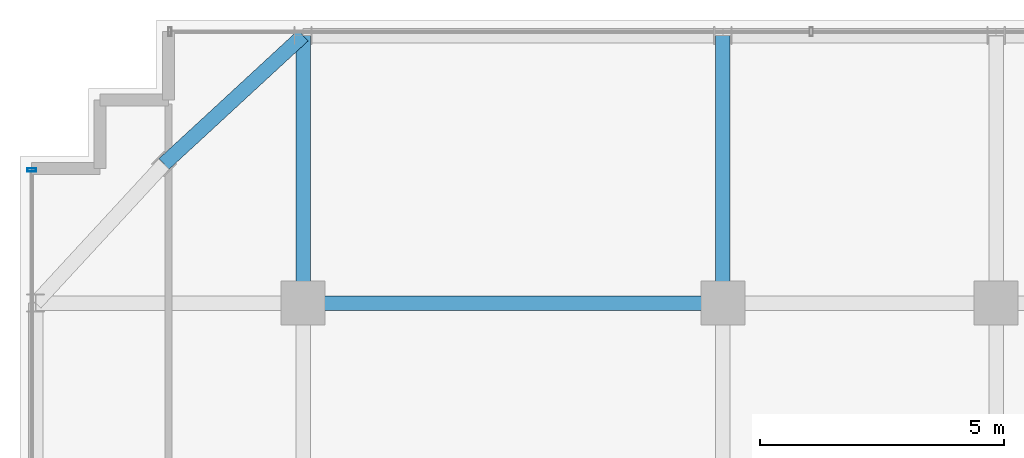
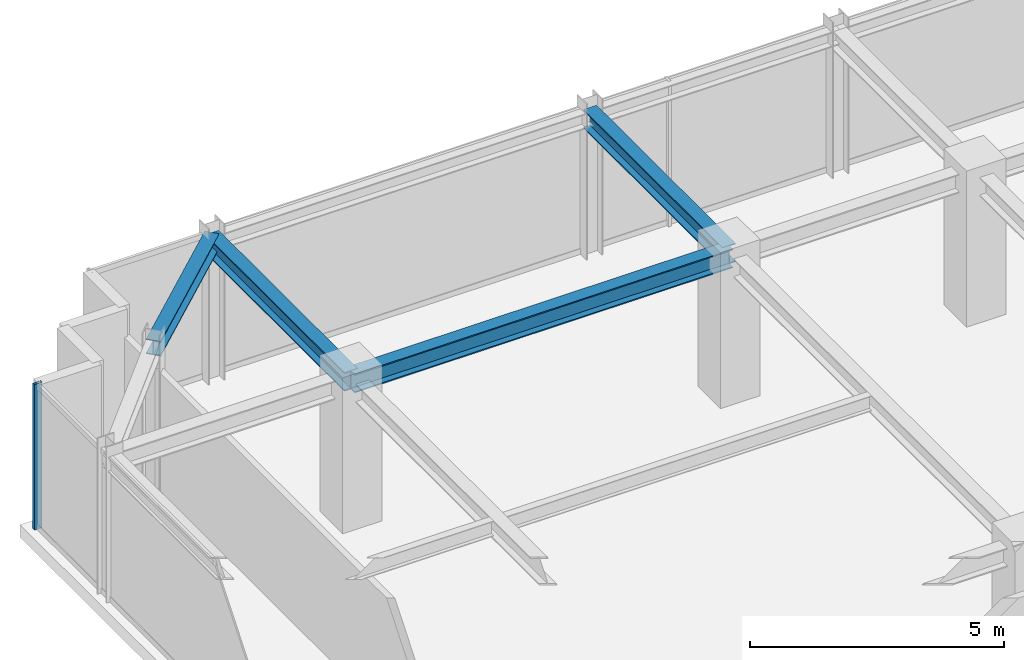
# One storey, part 17 of 33: 4 beams, 1 member, 1 element without a shape of its own.
"""IFC4 building model written with IfcOpenShell, lengths in metres."""

from ifc_helpers import new_model, si_unit, direction, frame, origin, origin_2d, place, context, subcontext, project, spatial, hollow_rectangle, i_section, extrude, source, transform, mapped, material, material_profile, profile_set, type_object, element, aggregate, save


model = new_model("IFC4")

# Units and contexts
model_context = context("Model", 3, precision=1e-05, world=origin(), true_north=direction((0.0, 1.0)))
body_context = subcontext(model_context, "Body", "Model", "MODEL_VIEW")
ifc_project = project(units=[si_unit("LENGTHUNIT", "METRE"), si_unit("AREAUNIT", "SQUARE_METRE"), si_unit("VOLUMEUNIT", "CUBIC_METRE"), si_unit("PLANEANGLEUNIT", "RADIAN"), si_unit("MASSUNIT", "GRAM", prefix="KILO")], contexts=[model_context])

# Site, building, storey
site_placement = place(None, origin())
site = spatial("IfcSite", under=ifc_project, at=site_placement, CompositionType="ELEMENT")
building_placement = place(site_placement, origin())
building = spatial("IfcBuilding", under=site, at=building_placement, Name="Nahalor Promenade Grand Hotel", CompositionType="ELEMENT")
storey_placement = place(building_placement, frame((0.0, 0.0, 315.75)))
storey = spatial("IfcBuildingStorey", under=building, at=storey_placement, Name="L81", CompositionType="ELEMENT", Elevation=315.75)

# Beams
ifc_material_1 = material(Name="Steel S355JR", Category="steel")
ifc_material_profile_1 = material_profile(ifc_material_1, i_section(OverallWidth=0.3, OverallDepth=0.45, WebThickness=0.014, FlangeThickness=0.026, at=origin_2d()), Name="HEB 450")
ifc_profile_set_1 = profile_set([ifc_material_profile_1], Name="Steel S355JR")
beam_type_1 = type_object("IfcBeamType", Name="Beam-Girder-HEB450", PredefinedType="BEAM", material=ifc_profile_set_1)
shared_shape_1 = source(origin(), body_context, "Body", "SweptSolid", [
    extrude(i_section(OverallWidth=0.3, OverallDepth=0.45, WebThickness=0.014, FlangeThickness=0.026, at=origin_2d()), origin(), (0.0, 0.0, 1.0), 8.60009765625),
])
beam_1_placement = place(storey_placement, frame((-17.0, 17.0, 3.27490234375), z_axis=(1.0, 0.0, 0.0), x_axis=(0.0, 1.0, 0.0)))
element("IfcBeam", 1, at=beam_1_placement, inside=storey, type_object=beam_type_1, Name="BM-L81-GX-3-1", PredefinedType="BEAM", context=body_context, shape_type="MappedRepresentation", body=[
    mapped(shared_shape_1, transform((0.0, 0.0, 0.0), scale=1.0)),
])
shared_shape_2 = source(origin(), body_context, "Body", "SweptSolid", [
    extrude(i_section(OverallWidth=0.3, OverallDepth=0.45, WebThickness=0.014, FlangeThickness=0.026, at=origin_2d()), origin(), (0.0, 0.0, 1.0), 5.47998046875),
])
for number, where, z_axis, x_axis, name in (
    (2, (-17.0, 17.0, 3.27490234375), (0.0, 1.0, 0.0), (-1.0, 0.0, 0.0), "BM-L81-GY-0-4"),
    (3, (-8.39990234375, 17.0, 3.27490234375), (0.0, 1.0, 0.0), (-1.0, 0.0, 0.0), "BM-L81-GY-1-4"),
):
    element("IfcBeam", number, at=place(storey_placement, frame(where, z_axis=z_axis, x_axis=x_axis)), inside=storey, type_object=beam_type_1, Name=name, PredefinedType="BEAM", context=body_context, shape_type="MappedRepresentation", body=[
        mapped(shared_shape_2, transform((0.0, 0.0, 0.0), scale=1.0)),
    ])
ifc_material_profile_2 = material_profile(ifc_material_1, i_section(OverallWidth=0.3, OverallDepth=0.36, WebThickness=0.0125, FlangeThickness=0.0225, at=origin_2d()), Name="HEB 360")
ifc_profile_set_2 = profile_set([ifc_material_profile_2], Name="Steel S355JR")
beam_type_2 = type_object("IfcBeamType", Name="Beam-Spandrel-HEB360", PredefinedType="SPANDREL", material=ifc_profile_set_2)
shared_shape_3 = source(origin(), body_context, "Body", "SweptSolid", [
    extrude(i_section(OverallWidth=0.3, OverallDepth=0.36, WebThickness=0.0125, FlangeThickness=0.0225, at=origin_2d()), origin(), (0.0, 0.0, 1.0), 3.878173828125),
])
beam_2_placement = place(storey_placement, frame((-17.0, 22.47998046875, 3.320068359375), z_axis=(-0.73492893846, -0.678144125843, 0.0), x_axis=(0.678144125843, -0.73492893846, 0.0)))
element("IfcBeam", 4, at=beam_2_placement, inside=storey, type_object=beam_type_2, Name="BM-L81-SPC-NW-1", PredefinedType="SPANDREL", context=body_context, shape_type="MappedRepresentation", body=[
    mapped(shared_shape_3, transform((0.0, 0.0, 0.0), scale=1.0)),
])

# Curtain wall, member
ifc_material_2 = material(Name="Anodised Bronze Aluminium EN AW-6063 T6", Category="aluminium")
curtain_wall_type = type_object("IfcCurtainWallType", Name="CW2 Typical Hotel Flush Bronze Unitised Curtain Wall", PredefinedType="USERDEFINED", material=ifc_material_2)
curtain_wall_placement = place(storey_placement, origin())
curtain_wall = element("IfcCurtainWall", 5, at=curtain_wall_placement, inside=storey, type_object=curtain_wall_type, Name="L81 Curtain Wall CW-L81-W-1", ObjectType="UNITISED_CURTAIN_WALL", PredefinedType="USERDEFINED")
ifc_material_profile_3 = material_profile(ifc_material_2, hollow_rectangle(XDim=0.065, YDim=0.18, WallThickness=0.004, at=origin_2d()), Name="CWM 65x180x4")
ifc_profile_set_3 = profile_set([ifc_material_profile_3], Name="Anodised Bronze Aluminium EN AW-6063 T6")
member_type = type_object("IfcMemberType", Name="CWM2 Typical Bronze Mullion 65x180", PredefinedType="MULLION", material=ifc_profile_set_3)
shared_shape_4 = source(origin(), body_context, "Body", "SweptSolid", [
    extrude(hollow_rectangle(XDim=0.065, YDim=0.18, WallThickness=0.004, at=origin_2d()), origin(), (0.0, 0.0, 1.0), 3.5),
])
member_placement = place(storey_placement, frame((-22.56005859375, 19.7275390625, 0.0), z_axis=(0.0, 0.0, 1.0), x_axis=(0.0, 1.0, 0.0)))
member = element("IfcMember", 6, at=member_placement, type_object=member_type, Name="CW-L81-W-1 Mullion 3", PredefinedType="MULLION", context=body_context, shape_type="MappedRepresentation", body=[
    mapped(shared_shape_4, transform((0.0, 0.0, 0.0), scale=1.0)),
])
aggregate(curtain_wall, [member])

save(model, "model.ifc")
